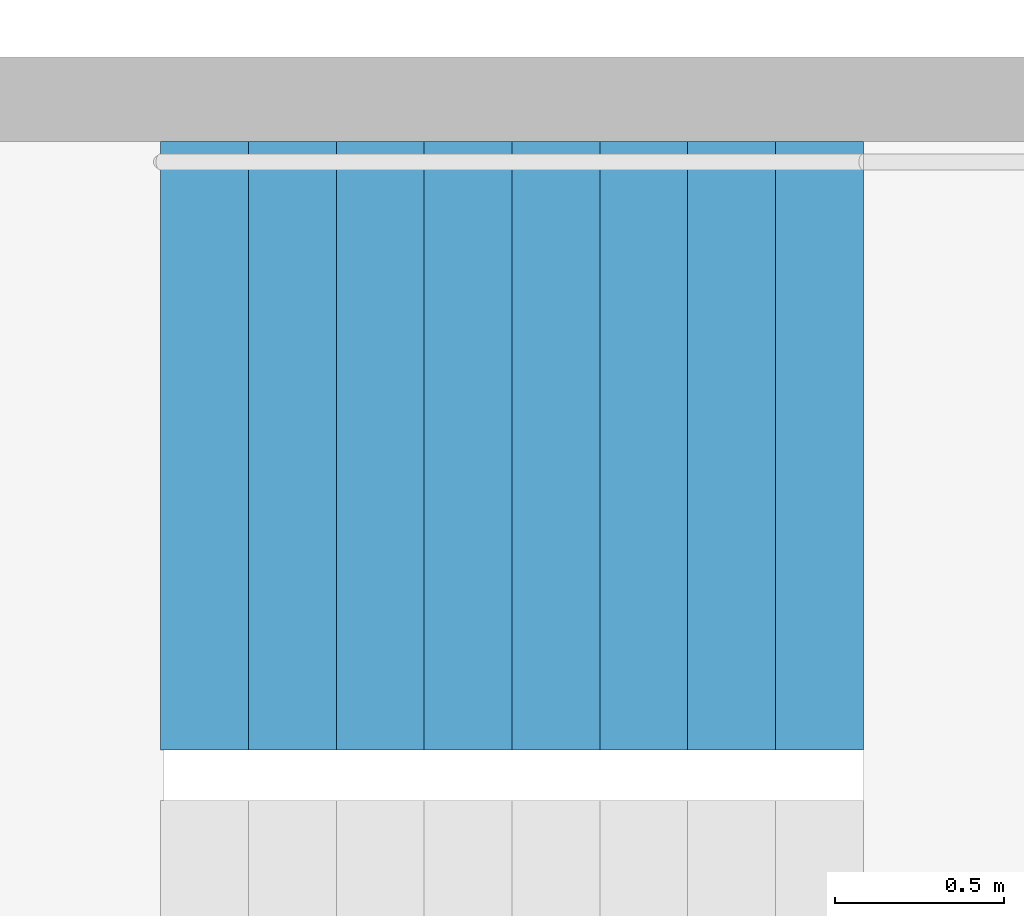
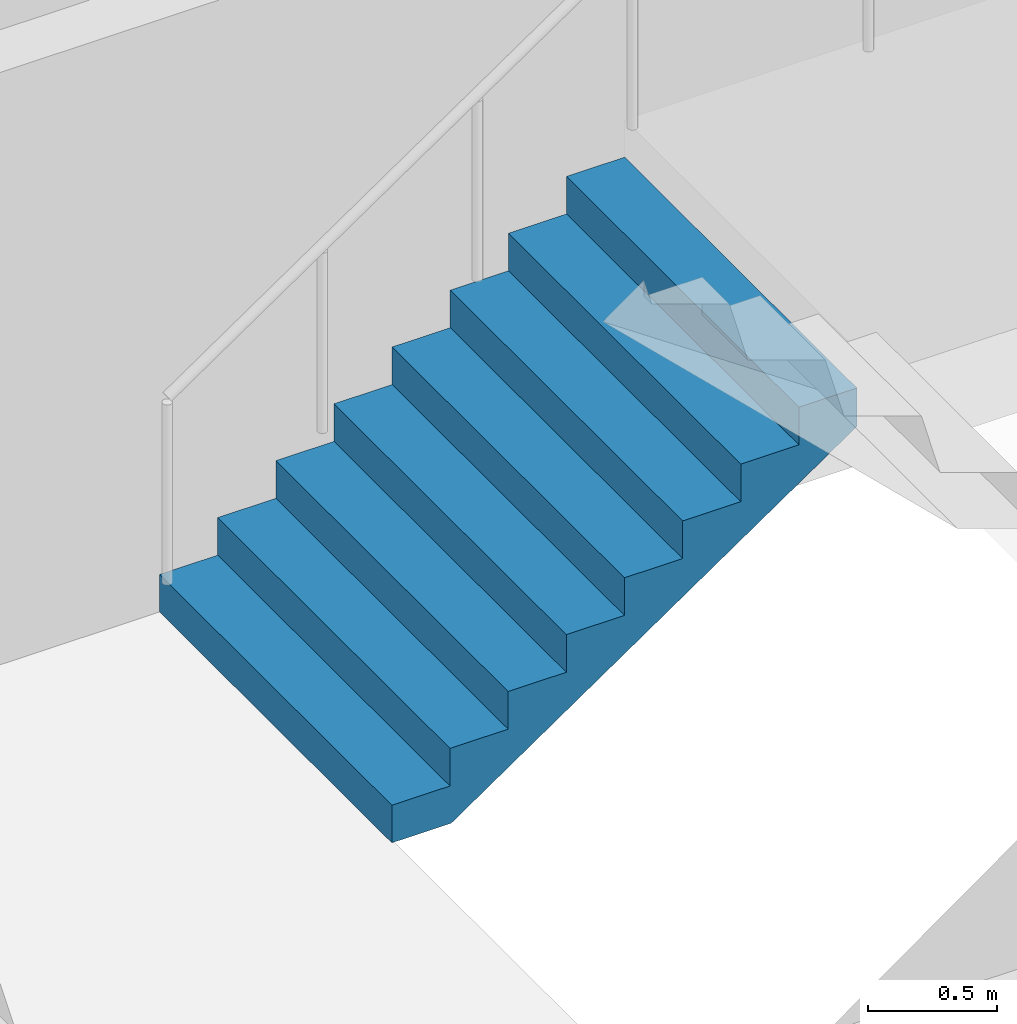
# One storey, part 38 of 42: 1 stair flight, 1 element without a shape of its own.
"""IFC4 building model written with IfcOpenShell, lengths in metres."""

from ifc_helpers import new_model, si_unit, direction, frame, origin, place, context, subcontext, project, spatial, triangles, material, type_object, element, aggregate, save


model = new_model("IFC4")

# Units and contexts
model_context = context("Model", 3, precision=1e-05, world=origin(), true_north=direction((0.0, 1.0)))
body_context = subcontext(model_context, "Body", "Model", "MODEL_VIEW")
ifc_project = project(units=[si_unit("LENGTHUNIT", "METRE"), si_unit("AREAUNIT", "SQUARE_METRE"), si_unit("VOLUMEUNIT", "CUBIC_METRE"), si_unit("PLANEANGLEUNIT", "RADIAN"), si_unit("MASSUNIT", "GRAM", prefix="KILO")], contexts=[model_context])

# Site, building, storey
site_placement = place(None, origin())
site = spatial("IfcSite", under=ifc_project, at=site_placement, CompositionType="ELEMENT")
building_placement = place(site_placement, origin())
building = spatial("IfcBuilding", under=site, at=building_placement, Name="Hakoniwa Tower and Hamabe Station Hall", CompositionType="ELEMENT")
storey_placement = place(building_placement, frame((0.0, 0.0, 19.800048828125)))
storey = spatial("IfcBuildingStorey", under=building, at=storey_placement, Name="L04", CompositionType="ELEMENT", Elevation=19.800048828125)

# Stair, stair flight
ifc_material_1 = material(Name="Concrete C40", Category="concrete")
stair_type = type_object("IfcStairType", Name="ESCAPE STAIR 1800", PredefinedType="HALF_TURN_STAIR", material=ifc_material_1)
stair_placement = place(storey_placement, origin())
stair = element("IfcStair", 1, at=stair_placement, inside=storey, type_object=stair_type, Name="Escape stair ST-4 L04", PredefinedType="HALF_TURN_STAIR")
ifc_material_2 = material(Name="Concrete C40", Category="concrete")
stair_flight_type = type_object("IfcStairFlightType", Name="STAIR FLIGHT 1800", PredefinedType="STRAIGHT", material=ifc_material_2)
stair_flight_placement = place(storey_placement, frame((23.39990234375, -4.64990234375, 0.0), z_axis=(0.0, 0.0, 1.0), x_axis=(1.0, 0.0, 0.0)))
stair_flight = element("IfcStairFlight", 2, at=stair_flight_placement, type_object=stair_flight_type, Name="ST-4 flight 1", NumberOfRisers=9, NumberOfTreads=8, PredefinedType="STRAIGHT", RiserHeight=0.177777778, TreadLength=0.26, context=body_context, shape_type="Tessellation", body=[
    triangles([(0.0, 0.89990234375, 0.0), (0.260009765625, 0.89990234375, 0.0), (0.265625, 0.89990234375, 0.0), (0.52001953125, 0.89990234375, 0.174072265625), (0.780029296875, 0.89990234375, 0.351806640625), (1.0400390625, 0.89990234375, 0.529541015625), (1.300048828125, 0.89990234375, 0.707275390625), (1.56005859375, 0.89990234375, 0.885009765625), (1.820068359375, 0.89990234375, 1.062744140625), (2.080078125, 0.89990234375, 1.24072265625), (2.080078125, 0.89990234375, 1.422119140625), (1.820068359375, 0.89990234375, 1.422119140625), (1.820068359375, 0.89990234375, 1.244384765625), (1.56005859375, 0.89990234375, 1.244384765625), (1.56005859375, 0.89990234375, 1.066650390625), (1.300048828125, 0.89990234375, 1.066650390625), (1.300048828125, 0.89990234375, 0.888916015625), (1.0400390625, 0.89990234375, 0.888916015625), (1.0400390625, 0.89990234375, 0.711181640625), (0.780029296875, 0.89990234375, 0.711181640625), (0.780029296875, 0.89990234375, 0.533447265625), (0.52001953125, 0.89990234375, 0.533447265625), (0.52001953125, 0.89990234375, 0.35546875), (0.265625, 0.89990234375, 0.35546875), (0.260009765625, 0.89990234375, 0.35546875), (0.260009765625, 0.89990234375, 0.177734375), (0.0, 0.89990234375, 0.177734375), (0.0, 0.06005859375, 0.0), (0.260009765625, 0.06005859375, 0.0), (0.265625, 0.06005859375, 0.0), (0.52001953125, 0.06005859375, 0.174072265625), (0.780029296875, 0.06005859375, 0.351806640625), (1.0400390625, 0.06005859375, 0.529541015625), (1.300048828125, 0.06005859375, 0.707275390625), (1.56005859375, 0.06005859375, 0.885009765625), (1.820068359375, 0.06005859375, 1.062744140625), (2.080078125, 0.06005859375, 1.24072265625), (2.080078125, 0.06005859375, 1.422119140625), (1.820068359375, 0.06005859375, 1.422119140625), (1.820068359375, 0.06005859375, 1.244384765625), (1.56005859375, 0.06005859375, 1.244384765625), (1.56005859375, 0.06005859375, 1.066650390625), (1.300048828125, 0.06005859375, 1.066650390625), (1.300048828125, 0.06005859375, 0.888916015625), (1.0400390625, 0.06005859375, 0.888916015625), (1.0400390625, 0.06005859375, 0.711181640625), (0.780029296875, 0.06005859375, 0.711181640625), (0.780029296875, 0.06005859375, 0.533447265625), (0.52001953125, 0.06005859375, 0.533447265625), (0.52001953125, 0.06005859375, 0.35546875), (0.265625, 0.06005859375, 0.35546875), (0.260009765625, 0.06005859375, 0.35546875), (0.260009765625, 0.06005859375, 0.177734375), (0.0, 0.06005859375, 0.177734375), (0.0, 0.04296875, 0.0), (0.260009765625, 0.04296875, 0.0), (0.265625, 0.04296875, 0.0), (0.52001953125, 0.04296875, 0.174072265625), (0.780029296875, 0.04296875, 0.351806640625), (1.0400390625, 0.04296875, 0.529541015625), (1.300048828125, 0.04296875, 0.707275390625), (1.56005859375, 0.04296875, 0.885009765625), (1.820068359375, 0.04296875, 1.062744140625), (2.080078125, 0.04296875, 1.24072265625), (2.080078125, 0.04296875, 1.422119140625), (1.820068359375, 0.04296875, 1.422119140625), (1.820068359375, 0.04296875, 1.244384765625), (1.56005859375, 0.04296875, 1.244384765625), (1.56005859375, 0.04296875, 1.066650390625), (1.300048828125, 0.04296875, 1.066650390625), (1.300048828125, 0.04296875, 0.888916015625), (1.0400390625, 0.04296875, 0.888916015625), (1.0400390625, 0.04296875, 0.711181640625), (0.780029296875, 0.04296875, 0.711181640625), (0.780029296875, 0.04296875, 0.533447265625), (0.52001953125, 0.04296875, 0.533447265625), (0.52001953125, 0.04296875, 0.35546875), (0.265625, 0.04296875, 0.35546875), (0.260009765625, 0.04296875, 0.35546875), (0.260009765625, 0.04296875, 0.177734375), (0.0, 0.04296875, 0.177734375), (0.0, 0.025634765625, 0.0), (0.260009765625, 0.025634765625, 0.0), (0.265625, 0.025634765625, 0.0), (0.52001953125, 0.025634765625, 0.174072265625), (0.780029296875, 0.025634765625, 0.351806640625), (1.0400390625, 0.025634765625, 0.529541015625), (1.300048828125, 0.025634765625, 0.707275390625), (1.56005859375, 0.025634765625, 0.885009765625), (1.820068359375, 0.025634765625, 1.062744140625), (2.080078125, 0.025634765625, 1.24072265625), (2.080078125, 0.025634765625, 1.422119140625), (1.820068359375, 0.025634765625, 1.422119140625), (1.820068359375, 0.025634765625, 1.244384765625), (1.56005859375, 0.025634765625, 1.244384765625), (1.56005859375, 0.025634765625, 1.066650390625), (1.300048828125, 0.025634765625, 1.066650390625), (1.300048828125, 0.025634765625, 0.888916015625), (1.0400390625, 0.025634765625, 0.888916015625), (1.0400390625, 0.025634765625, 0.711181640625), (0.780029296875, 0.025634765625, 0.711181640625), (0.780029296875, 0.025634765625, 0.533447265625), (0.52001953125, 0.025634765625, 0.533447265625), (0.52001953125, 0.025634765625, 0.35546875), (0.265625, 0.025634765625, 0.35546875), (0.260009765625, 0.025634765625, 0.35546875), (0.260009765625, 0.025634765625, 0.177734375), (0.0, 0.025634765625, 0.177734375), (0.0, 0.008544921875, 0.0), (0.260009765625, 0.008544921875, 0.0), (0.265625, 0.008544921875, 0.0), (0.52001953125, 0.008544921875, 0.174072265625), (0.780029296875, 0.008544921875, 0.351806640625), (1.0400390625, 0.008544921875, 0.529541015625), (1.300048828125, 0.008544921875, 0.707275390625), (1.56005859375, 0.008544921875, 0.885009765625), (1.820068359375, 0.008544921875, 1.062744140625), (2.080078125, 0.008544921875, 1.24072265625), (2.080078125, 0.008544921875, 1.422119140625), (1.820068359375, 0.008544921875, 1.422119140625), (1.820068359375, 0.008544921875, 1.244384765625), (1.56005859375, 0.008544921875, 1.244384765625), (1.56005859375, 0.008544921875, 1.066650390625), (1.300048828125, 0.008544921875, 1.066650390625), (1.300048828125, 0.008544921875, 0.888916015625), (1.0400390625, 0.008544921875, 0.888916015625), (1.0400390625, 0.008544921875, 0.711181640625), (0.780029296875, 0.008544921875, 0.711181640625), (0.780029296875, 0.008544921875, 0.533447265625), (0.52001953125, 0.008544921875, 0.533447265625), (0.52001953125, 0.008544921875, 0.35546875), (0.265625, 0.008544921875, 0.35546875), (0.260009765625, 0.008544921875, 0.35546875), (0.260009765625, 0.008544921875, 0.177734375), (0.0, 0.008544921875, 0.177734375), (0.0, -0.008544921875, 0.0), (0.260009765625, -0.008544921875, 0.0), (0.265625, -0.008544921875, 0.0), (0.52001953125, -0.008544921875, 0.174072265625), (0.780029296875, -0.008544921875, 0.351806640625), (1.0400390625, -0.008544921875, 0.529541015625), (1.300048828125, -0.008544921875, 0.707275390625), (1.56005859375, -0.008544921875, 0.885009765625), (1.820068359375, -0.008544921875, 1.062744140625), (2.080078125, -0.008544921875, 1.24072265625), (2.080078125, -0.008544921875, 1.422119140625), (1.820068359375, -0.008544921875, 1.422119140625), (1.820068359375, -0.008544921875, 1.244384765625), (1.56005859375, -0.008544921875, 1.244384765625), (1.56005859375, -0.008544921875, 1.066650390625), (1.300048828125, -0.008544921875, 1.066650390625), (1.300048828125, -0.008544921875, 0.888916015625), (1.0400390625, -0.008544921875, 0.888916015625), (1.0400390625, -0.008544921875, 0.711181640625), (0.780029296875, -0.008544921875, 0.711181640625), (0.780029296875, -0.008544921875, 0.533447265625), (0.52001953125, -0.008544921875, 0.533447265625), (0.52001953125, -0.008544921875, 0.35546875), (0.265625, -0.008544921875, 0.35546875), (0.260009765625, -0.008544921875, 0.35546875), (0.260009765625, -0.008544921875, 0.177734375), (0.0, -0.008544921875, 0.177734375), (0.0, -0.025634765625, 0.0), (0.260009765625, -0.025634765625, 0.0), (0.265625, -0.025634765625, 0.0), (0.52001953125, -0.025634765625, 0.174072265625), (0.780029296875, -0.025634765625, 0.351806640625), (1.0400390625, -0.025634765625, 0.529541015625), (1.300048828125, -0.025634765625, 0.707275390625), (1.56005859375, -0.025634765625, 0.885009765625), (1.820068359375, -0.025634765625, 1.062744140625), (2.080078125, -0.025634765625, 1.24072265625), (2.080078125, -0.025634765625, 1.422119140625), (1.820068359375, -0.025634765625, 1.422119140625), (1.820068359375, -0.025634765625, 1.244384765625), (1.56005859375, -0.025634765625, 1.244384765625), (1.56005859375, -0.025634765625, 1.066650390625), (1.300048828125, -0.025634765625, 1.066650390625), (1.300048828125, -0.025634765625, 0.888916015625), (1.0400390625, -0.025634765625, 0.888916015625), (1.0400390625, -0.025634765625, 0.711181640625), (0.780029296875, -0.025634765625, 0.711181640625), (0.780029296875, -0.025634765625, 0.533447265625), (0.52001953125, -0.025634765625, 0.533447265625), (0.52001953125, -0.025634765625, 0.35546875), (0.265625, -0.025634765625, 0.35546875), (0.260009765625, -0.025634765625, 0.35546875), (0.260009765625, -0.025634765625, 0.177734375), (0.0, -0.025634765625, 0.177734375), (0.0, -0.04296875, 0.0), (0.260009765625, -0.04296875, 0.0), (0.265625, -0.04296875, 0.0), (0.52001953125, -0.04296875, 0.174072265625), (0.780029296875, -0.04296875, 0.351806640625), (1.0400390625, -0.04296875, 0.529541015625), (1.300048828125, -0.04296875, 0.707275390625), (1.56005859375, -0.04296875, 0.885009765625), (1.820068359375, -0.04296875, 1.062744140625), (2.080078125, -0.04296875, 1.24072265625), (2.080078125, -0.04296875, 1.422119140625), (1.820068359375, -0.04296875, 1.422119140625), (1.820068359375, -0.04296875, 1.244384765625), (1.56005859375, -0.04296875, 1.244384765625), (1.56005859375, -0.04296875, 1.066650390625), (1.300048828125, -0.04296875, 1.066650390625), (1.300048828125, -0.04296875, 0.888916015625), (1.0400390625, -0.04296875, 0.888916015625), (1.0400390625, -0.04296875, 0.711181640625), (0.780029296875, -0.04296875, 0.711181640625), (0.780029296875, -0.04296875, 0.533447265625), (0.52001953125, -0.04296875, 0.533447265625), (0.52001953125, -0.04296875, 0.35546875), (0.265625, -0.04296875, 0.35546875), (0.260009765625, -0.04296875, 0.35546875), (0.260009765625, -0.04296875, 0.177734375), (0.0, -0.04296875, 0.177734375), (0.0, -0.06005859375, 0.0), (0.260009765625, -0.06005859375, 0.0), (0.265625, -0.06005859375, 0.0), (0.52001953125, -0.06005859375, 0.174072265625), (0.780029296875, -0.06005859375, 0.351806640625), (1.0400390625, -0.06005859375, 0.529541015625), (1.300048828125, -0.06005859375, 0.707275390625), (1.56005859375, -0.06005859375, 0.885009765625), (1.820068359375, -0.06005859375, 1.062744140625), (2.080078125, -0.06005859375, 1.24072265625), (2.080078125, -0.06005859375, 1.422119140625), (1.820068359375, -0.06005859375, 1.422119140625), (1.820068359375, -0.06005859375, 1.244384765625), (1.56005859375, -0.06005859375, 1.244384765625), (1.56005859375, -0.06005859375, 1.066650390625), (1.300048828125, -0.06005859375, 1.066650390625), (1.300048828125, -0.06005859375, 0.888916015625), (1.0400390625, -0.06005859375, 0.888916015625), (1.0400390625, -0.06005859375, 0.711181640625), (0.780029296875, -0.06005859375, 0.711181640625), (0.780029296875, -0.06005859375, 0.533447265625), (0.52001953125, -0.06005859375, 0.533447265625), (0.52001953125, -0.06005859375, 0.35546875), (0.265625, -0.06005859375, 0.35546875), (0.260009765625, -0.06005859375, 0.35546875), (0.260009765625, -0.06005859375, 0.177734375), (0.0, -0.06005859375, 0.177734375), (0.0, -0.89990234375, 0.0), (0.260009765625, -0.89990234375, 0.0), (0.265625, -0.89990234375, 0.0), (0.52001953125, -0.89990234375, 0.174072265625), (0.780029296875, -0.89990234375, 0.351806640625), (1.0400390625, -0.89990234375, 0.529541015625), (1.300048828125, -0.89990234375, 0.707275390625), (1.56005859375, -0.89990234375, 0.885009765625), (1.820068359375, -0.89990234375, 1.062744140625), (2.080078125, -0.89990234375, 1.24072265625), (2.080078125, -0.89990234375, 1.422119140625), (1.820068359375, -0.89990234375, 1.422119140625), (1.820068359375, -0.89990234375, 1.244384765625), (1.56005859375, -0.89990234375, 1.244384765625), (1.56005859375, -0.89990234375, 1.066650390625), (1.300048828125, -0.89990234375, 1.066650390625), (1.300048828125, -0.89990234375, 0.888916015625), (1.0400390625, -0.89990234375, 0.888916015625), (1.0400390625, -0.89990234375, 0.711181640625), (0.780029296875, -0.89990234375, 0.711181640625), (0.780029296875, -0.89990234375, 0.533447265625), (0.52001953125, -0.89990234375, 0.533447265625), (0.52001953125, -0.89990234375, 0.35546875), (0.265625, -0.89990234375, 0.35546875), (0.260009765625, -0.89990234375, 0.35546875), (0.260009765625, -0.89990234375, 0.177734375), (0.0, -0.89990234375, 0.177734375)], [[2, 27, 26], [245, 269, 270], [2, 1, 27], [245, 270, 244], [3, 25, 24], [246, 267, 268], [3, 26, 25], [246, 268, 269], [3, 2, 26], [246, 269, 245], [4, 24, 23], [247, 266, 267], [4, 3, 24], [247, 267, 246], [5, 22, 21], [248, 264, 265], [5, 23, 22], [248, 265, 266], [5, 4, 23], [248, 266, 247], [6, 20, 19], [249, 262, 263], [6, 21, 20], [249, 263, 264], [6, 5, 21], [249, 264, 248], [7, 18, 17], [250, 260, 261], [7, 19, 18], [250, 261, 262], [7, 6, 19], [250, 262, 249], [8, 16, 15], [251, 258, 259], [8, 17, 16], [251, 259, 260], [8, 7, 17], [251, 260, 250], [9, 14, 13], [252, 256, 257], [9, 15, 14], [252, 257, 258], [9, 8, 15], [252, 258, 251], [10, 12, 11], [253, 254, 255], [10, 13, 12], [253, 255, 256], [10, 9, 13], [253, 256, 252], [1, 2, 29], [1, 29, 28], [28, 29, 56], [28, 56, 55], [55, 56, 83], [55, 83, 82], [82, 83, 110], [82, 110, 109], [109, 110, 137], [109, 137, 136], [136, 137, 164], [136, 164, 163], [163, 164, 191], [163, 191, 190], [190, 191, 218], [190, 218, 217], [217, 218, 245], [217, 245, 244], [2, 3, 30], [2, 30, 29], [29, 30, 57], [29, 57, 56], [56, 57, 84], [56, 84, 83], [83, 84, 111], [83, 111, 110], [110, 111, 138], [110, 138, 137], [137, 138, 165], [137, 165, 164], [164, 165, 192], [164, 192, 191], [191, 192, 219], [191, 219, 218], [218, 219, 246], [218, 246, 245], [3, 4, 31], [3, 31, 30], [30, 31, 58], [30, 58, 57], [57, 58, 85], [57, 85, 84], [84, 85, 112], [84, 112, 111], [111, 112, 139], [111, 139, 138], [138, 139, 166], [138, 166, 165], [165, 166, 193], [165, 193, 192], [192, 193, 220], [192, 220, 219], [219, 220, 247], [219, 247, 246], [4, 5, 32], [4, 32, 31], [31, 32, 59], [31, 59, 58], [58, 59, 86], [58, 86, 85], [85, 86, 113], [85, 113, 112], [112, 113, 140], [112, 140, 139], [139, 140, 167], [139, 167, 166], [166, 167, 194], [166, 194, 193], [193, 194, 221], [193, 221, 220], [220, 221, 248], [220, 248, 247], [5, 6, 33], [5, 33, 32], [32, 33, 60], [32, 60, 59], [59, 60, 87], [59, 87, 86], [86, 87, 114], [86, 114, 113], [113, 114, 141], [113, 141, 140], [140, 141, 168], [140, 168, 167], [167, 168, 195], [167, 195, 194], [194, 195, 222], [194, 222, 221], [221, 222, 249], [221, 249, 248], [6, 7, 34], [6, 34, 33], [33, 34, 61], [33, 61, 60], [60, 61, 88], [60, 88, 87], [87, 88, 115], [87, 115, 114], [114, 115, 142], [114, 142, 141], [141, 142, 169], [141, 169, 168], [168, 169, 196], [168, 196, 195], [195, 196, 223], [195, 223, 222], [222, 223, 250], [222, 250, 249], [7, 8, 35], [7, 35, 34], [34, 35, 62], [34, 62, 61], [61, 62, 89], [61, 89, 88], [88, 89, 116], [88, 116, 115], [115, 116, 143], [115, 143, 142], [142, 143, 170], [142, 170, 169], [169, 170, 197], [169, 197, 196], [196, 197, 224], [196, 224, 223], [223, 224, 251], [223, 251, 250], [8, 9, 36], [8, 36, 35], [35, 36, 63], [35, 63, 62], [62, 63, 90], [62, 90, 89], [89, 90, 117], [89, 117, 116], [116, 117, 144], [116, 144, 143], [143, 144, 171], [143, 171, 170], [170, 171, 198], [170, 198, 197], [197, 198, 225], [197, 225, 224], [224, 225, 252], [224, 252, 251], [9, 10, 37], [9, 37, 36], [36, 37, 64], [36, 64, 63], [63, 64, 91], [63, 91, 90], [90, 91, 118], [90, 118, 117], [117, 118, 145], [117, 145, 144], [144, 145, 172], [144, 172, 171], [171, 172, 199], [171, 199, 198], [198, 199, 226], [198, 226, 225], [225, 226, 253], [225, 253, 252], [10, 11, 38], [10, 38, 37], [37, 38, 65], [37, 65, 64], [64, 65, 92], [64, 92, 91], [91, 92, 119], [91, 119, 118], [118, 119, 146], [118, 146, 145], [145, 146, 173], [145, 173, 172], [172, 173, 200], [172, 200, 199], [199, 200, 227], [199, 227, 226], [226, 227, 254], [226, 254, 253], [11, 12, 39], [11, 39, 38], [38, 39, 66], [38, 66, 65], [65, 66, 93], [65, 93, 92], [92, 93, 120], [92, 120, 119], [119, 120, 147], [119, 147, 146], [146, 147, 174], [146, 174, 173], [173, 174, 201], [173, 201, 200], [200, 201, 228], [200, 228, 227], [227, 228, 255], [227, 255, 254], [12, 13, 40], [12, 40, 39], [39, 40, 67], [39, 67, 66], [66, 67, 94], [66, 94, 93], [93, 94, 121], [93, 121, 120], [120, 121, 148], [120, 148, 147], [147, 148, 175], [147, 175, 174], [174, 175, 202], [174, 202, 201], [201, 202, 229], [201, 229, 228], [228, 229, 256], [228, 256, 255], [13, 14, 41], [13, 41, 40], [40, 41, 68], [40, 68, 67], [67, 68, 95], [67, 95, 94], [94, 95, 122], [94, 122, 121], [121, 122, 149], [121, 149, 148], [148, 149, 176], [148, 176, 175], [175, 176, 203], [175, 203, 202], [202, 203, 230], [202, 230, 229], [229, 230, 257], [229, 257, 256], [14, 15, 42], [14, 42, 41], [41, 42, 69], [41, 69, 68], [68, 69, 96], [68, 96, 95], [95, 96, 123], [95, 123, 122], [122, 123, 150], [122, 150, 149], [149, 150, 177], [149, 177, 176], [176, 177, 204], [176, 204, 203], [203, 204, 231], [203, 231, 230], [230, 231, 258], [230, 258, 257], [15, 16, 43], [15, 43, 42], [42, 43, 70], [42, 70, 69], [69, 70, 97], [69, 97, 96], [96, 97, 124], [96, 124, 123], [123, 124, 151], [123, 151, 150], [150, 151, 178], [150, 178, 177], [177, 178, 205], [177, 205, 204], [204, 205, 232], [204, 232, 231], [231, 232, 259], [231, 259, 258], [16, 17, 44], [16, 44, 43], [43, 44, 71], [43, 71, 70], [70, 71, 98], [70, 98, 97], [97, 98, 125], [97, 125, 124], [124, 125, 152], [124, 152, 151], [151, 152, 179], [151, 179, 178], [178, 179, 206], [178, 206, 205], [205, 206, 233], [205, 233, 232], [232, 233, 260], [232, 260, 259], [17, 18, 45], [17, 45, 44], [44, 45, 72], [44, 72, 71], [71, 72, 99], [71, 99, 98], [98, 99, 126], [98, 126, 125], [125, 126, 153], [125, 153, 152], [152, 153, 180], [152, 180, 179], [179, 180, 207], [179, 207, 206], [206, 207, 234], [206, 234, 233], [233, 234, 261], [233, 261, 260], [18, 19, 46], [18, 46, 45], [45, 46, 73], [45, 73, 72], [72, 73, 100], [72, 100, 99], [99, 100, 127], [99, 127, 126], [126, 127, 154], [126, 154, 153], [153, 154, 181], [153, 181, 180], [180, 181, 208], [180, 208, 207], [207, 208, 235], [207, 235, 234], [234, 235, 262], [234, 262, 261], [19, 20, 47], [19, 47, 46], [46, 47, 74], [46, 74, 73], [73, 74, 101], [73, 101, 100], [100, 101, 128], [100, 128, 127], [127, 128, 155], [127, 155, 154], [154, 155, 182], [154, 182, 181], [181, 182, 209], [181, 209, 208], [208, 209, 236], [208, 236, 235], [235, 236, 263], [235, 263, 262], [20, 21, 48], [20, 48, 47], [47, 48, 75], [47, 75, 74], [74, 75, 102], [74, 102, 101], [101, 102, 129], [101, 129, 128], [128, 129, 156], [128, 156, 155], [155, 156, 183], [155, 183, 182], [182, 183, 210], [182, 210, 209], [209, 210, 237], [209, 237, 236], [236, 237, 264], [236, 264, 263], [21, 22, 49], [21, 49, 48], [48, 49, 76], [48, 76, 75], [75, 76, 103], [75, 103, 102], [102, 103, 130], [102, 130, 129], [129, 130, 157], [129, 157, 156], [156, 157, 184], [156, 184, 183], [183, 184, 211], [183, 211, 210], [210, 211, 238], [210, 238, 237], [237, 238, 265], [237, 265, 264], [22, 23, 50], [22, 50, 49], [49, 50, 77], [49, 77, 76], [76, 77, 104], [76, 104, 103], [103, 104, 131], [103, 131, 130], [130, 131, 158], [130, 158, 157], [157, 158, 185], [157, 185, 184], [184, 185, 212], [184, 212, 211], [211, 212, 239], [211, 239, 238], [238, 239, 266], [238, 266, 265], [23, 24, 51], [23, 51, 50], [50, 51, 78], [50, 78, 77], [77, 78, 105], [77, 105, 104], [104, 105, 132], [104, 132, 131], [131, 132, 159], [131, 159, 158], [158, 159, 186], [158, 186, 185], [185, 186, 213], [185, 213, 212], [212, 213, 240], [212, 240, 239], [239, 240, 267], [239, 267, 266], [24, 25, 52], [24, 52, 51], [51, 52, 79], [51, 79, 78], [78, 79, 106], [78, 106, 105], [105, 106, 133], [105, 133, 132], [132, 133, 160], [132, 160, 159], [159, 160, 187], [159, 187, 186], [186, 187, 214], [186, 214, 213], [213, 214, 241], [213, 241, 240], [240, 241, 268], [240, 268, 267], [25, 26, 53], [25, 53, 52], [52, 53, 80], [52, 80, 79], [79, 80, 107], [79, 107, 106], [106, 107, 134], [106, 134, 133], [133, 134, 161], [133, 161, 160], [160, 161, 188], [160, 188, 187], [187, 188, 215], [187, 215, 214], [214, 215, 242], [214, 242, 241], [241, 242, 269], [241, 269, 268], [26, 27, 54], [26, 54, 53], [53, 54, 81], [53, 81, 80], [80, 81, 108], [80, 108, 107], [107, 108, 135], [107, 135, 134], [134, 135, 162], [134, 162, 161], [161, 162, 189], [161, 189, 188], [188, 189, 216], [188, 216, 215], [215, 216, 243], [215, 243, 242], [242, 243, 270], [242, 270, 269], [27, 1, 28], [27, 28, 54], [54, 28, 55], [54, 55, 81], [81, 55, 82], [81, 82, 108], [108, 82, 109], [108, 109, 135], [135, 109, 136], [135, 136, 162], [162, 136, 163], [162, 163, 189], [189, 163, 190], [189, 190, 216], [216, 190, 217], [216, 217, 243], [243, 217, 244], [243, 244, 270]], closed=True),
])
aggregate(stair, [stair_flight])

save(model, "model.ifc")
